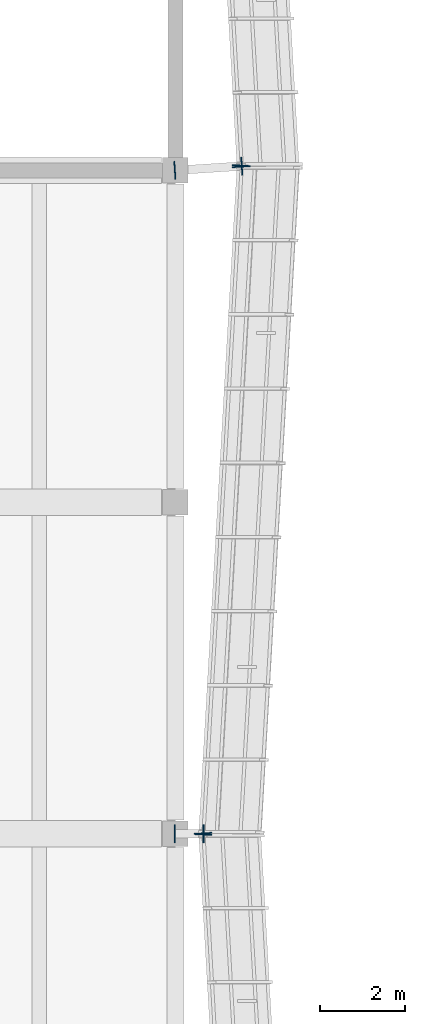
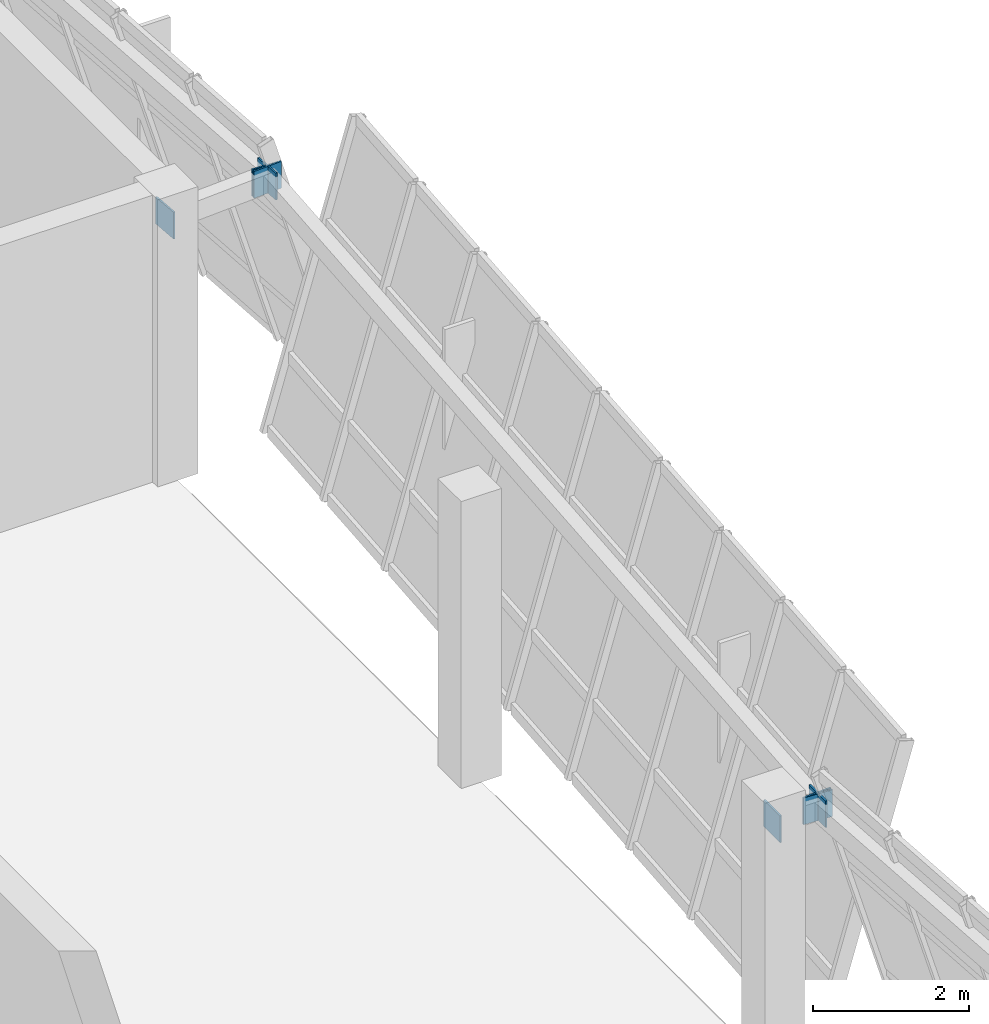
# One storey, part 51 of 71: 8 plates.
"""IFC4 building model written with IfcOpenShell, lengths in metres."""

from ifc_helpers import new_model, si_unit, direction, frame, origin, origin_2d, place, context, subcontext, project, spatial, rectangle, extrude, material, layer, layer_set, type_object, element, save


model = new_model("IFC4")

# Units and contexts
model_context = context("Model", 3, precision=1e-05, world=origin(), true_north=direction((0.0, 1.0)))
body_context = subcontext(model_context, "Body", "Model", "MODEL_VIEW")
ifc_project = project(units=[si_unit("LENGTHUNIT", "METRE"), si_unit("AREAUNIT", "SQUARE_METRE"), si_unit("VOLUMEUNIT", "CUBIC_METRE"), si_unit("PLANEANGLEUNIT", "RADIAN"), si_unit("MASSUNIT", "GRAM", prefix="KILO")], contexts=[model_context])

# Site, building, storey
site_placement = place(None, origin())
site = spatial("IfcSite", under=ifc_project, at=site_placement, CompositionType="ELEMENT")
building_placement = place(site_placement, origin())
building = spatial("IfcBuilding", under=site, at=building_placement, Name="Pellamere Symphony Hall", CompositionType="ELEMENT")
storey_placement = place(building_placement, frame((0.0, 0.0, 15.0)))
storey = spatial("IfcBuildingStorey", under=building, at=storey_placement, Name="L03", CompositionType="ELEMENT", Elevation=15.0)

# Plates
ifc_material = material(Name="Steel CSA G40.21 350W", Category="steel")
ifc_layer = layer(ifc_material, 0.02490234375, Name="Steel CSA G40.21 350W")
ifc_layer_set = layer_set([ifc_layer], Name="Steel CSA G40.21 350W")
plate_type = type_object("IfcPlateType", Name="Steel Connection Plate KP-01 420x420x25", PredefinedType="SHEET", material=ifc_layer_set)
for number, where, z_axis, x_axis, name in (
    (1, (119.44921875, 61.81201171875, 3.72998046875), (0.0, 0.0, 1.0), (-0.057215536424, 0.998361849427, 0.0), "Crystal Spandrel End Cap Plate CW-CR07-2 (L03)"),
    (2, (118.7880859375, 61.800048828125, 3.72998046875), (0.0, 0.0, 1.0), (1.0, 0.0, 0.0), "Outrigger End Cap Plate 023.1 (L03)"),
    (3, (119.4619140625, 61.800048828125, 3.72998046875), (0.0, 0.0, 1.0), (1.0, 0.0, 0.0), "Outrigger End Cap Plate 023.2 (L03)"),
    (4, (119.44921875, 61.7880859375, 3.72998046875), (0.0, 0.0, 1.0), (0.057215536424, 0.998361849427, 0.0), "Crystal Spandrel End Cap Plate CW-CR08-1 (L03)"),
    (5, (120.3505859375, 77.511962890625, 3.72998046875), (0.0, 0.0, 1.0), (0.057215536424, 0.998361849427, 0.0), "Crystal Spandrel End Cap Plate CW-CR08-2 (L03)"),
    (6, (118.7880859375, 77.399169921875, 3.72998046875), (0.0, 0.0, 1.0), (0.997926866086, 0.064358138139, 0.0), "Outrigger End Cap Plate 035.1 (L03)"),
    (7, (120.362060546875, 77.500732421875, 3.72998046875), (0.0, 0.0, 1.0), (0.997926866086, 0.064358138139, 0.0), "Outrigger End Cap Plate 035.2 (L03)"),
    (8, (120.3505859375, 77.488037109375, 3.72998046875), (0.0, 0.0, 1.0), (-0.05756402696, 0.998341816614, 0.0), "Crystal Spandrel End Cap Plate CW-CR09-1 (L03)"),
):
    element("IfcPlate", number, at=place(storey_placement, frame(where, z_axis=z_axis, x_axis=x_axis)), inside=storey, type_object=plate_type, Name=name, PredefinedType="SHEET", context=body_context, shape_type="SweptSolid", body=[
        extrude(rectangle(XDim=0.02490234375, YDim=0.419921875, at=origin_2d()), origin(), (0.0, 0.0, 1.0), 0.419921875),
    ])

save(model, "model.ifc")
